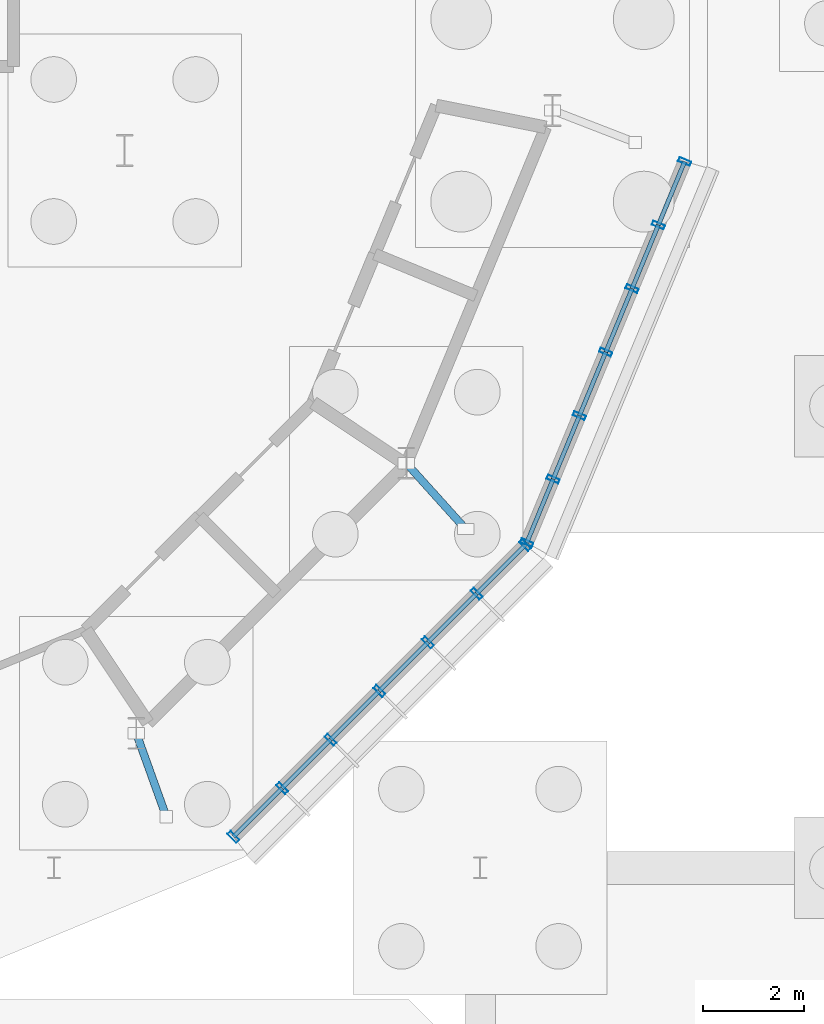
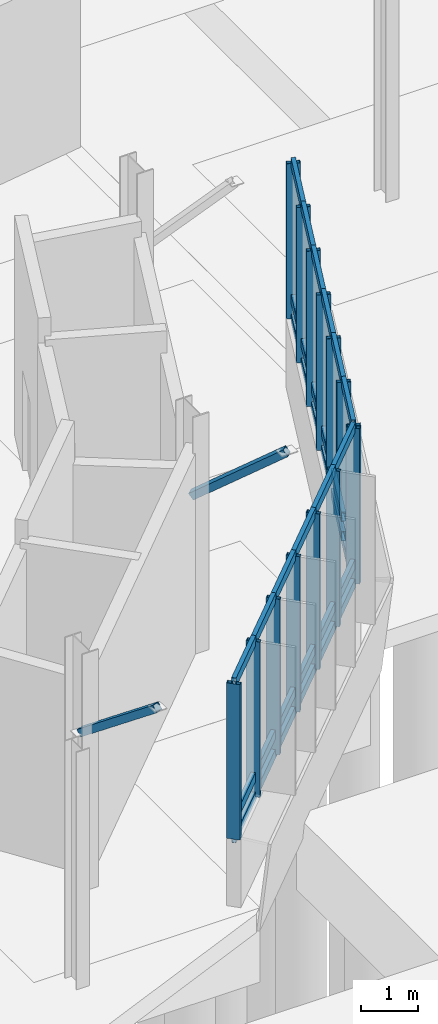
# One storey, part 37 of 119: 52 members, 2 elements without a shape of their own.
"""IFC4 building model written with IfcOpenShell, lengths in metres."""

from ifc_helpers import new_model, si_unit, derived_unit, direction, frame, origin, origin_2d, place, context, subcontext, project, spatial, hollow_rectangle, extrude, material, layer, layer_set, material_profile, profile_set, type_object, element, aggregate, save


model = new_model("IFC4")

# Units and contexts
model_context = context("Model", 3, precision=1e-05, world=origin(), true_north=direction((0.0, 1.0)))
body_context = subcontext(model_context, "Body", "Model", "MODEL_VIEW")
ifc_project = project(units=[si_unit("LENGTHUNIT", "METRE"), si_unit("AREAUNIT", "SQUARE_METRE"), si_unit("VOLUMEUNIT", "CUBIC_METRE"), si_unit("PLANEANGLEUNIT", "RADIAN"), si_unit("MASSUNIT", "GRAM", prefix="KILO"), derived_unit("THERMALTRANSMITTANCEUNIT", [(si_unit("MASSUNIT", "GRAM", prefix="KILO"), 1), (si_unit("TIMEUNIT", "SECOND"), -3), (si_unit("THERMODYNAMICTEMPERATUREUNIT", "KELVIN"), -1)])], contexts=[model_context])

# Site, building, storey
site_placement = place(None, origin())
site = spatial("IfcSite", under=ifc_project, at=site_placement, CompositionType="ELEMENT")
building_placement = place(site_placement, origin())
building = spatial("IfcBuilding", under=site, at=building_placement, Name="Makaiwela Harbour Ferry Terminal", CompositionType="ELEMENT")
storey_placement = place(building_placement, origin())
storey = spatial("IfcBuildingStorey", under=building, at=storey_placement, Name="L00", CompositionType="ELEMENT", Elevation=0.0)

# Curtain wall, members
ifc_material_1 = material(Name="Marine anodised aluminium 6063-T6", Category="aluminium")
ifc_layer = layer(ifc_material_1, 0.199951171875)
ifc_layer_set = layer_set([ifc_layer], Name="Marine anodised aluminium 6063-T6")
curtain_wall_type = type_object("IfcCurtainWallType", Name="ENV-CW-01", PredefinedType="USERDEFINED", material=ifc_layer_set)
curtain_wall_1_placement = place(storey_placement, origin())
curtain_wall_1 = element("IfcCurtainWall", 1, at=curtain_wall_1_placement, inside=storey, type_object=curtain_wall_type, Name="Unitised Curtain Wall CWA-009", ObjectType="UNITIZED CURTAIN WALL", PredefinedType="USERDEFINED")
ifc_material_profile_1 = material_profile(ifc_material_1, hollow_rectangle(XDim=0.0849609375, YDim=0.25, WallThickness=0.0048828125, at=origin_2d()), Name="CWM-250X85")
ifc_profile_set_1 = profile_set([ifc_material_profile_1], Name="Marine anodised aluminium 6063-T6")
member_type_1 = type_object("IfcMemberType", Name="CW-MUL-250", PredefinedType="MULLION", material=ifc_profile_set_1)
member_1_placement = place(storey_placement, frame((49.73828125, 50.01025390625, 1.47998046875), z_axis=(0.0, 0.0, 1.0), x_axis=(0.707106781187, 0.707106781187, 0.0)))
member_1 = element("IfcMember", 2, at=member_1_placement, type_object=member_type_1, Name="Curtain Wall Mullion CWA-009-1", PredefinedType="MULLION", context=body_context, shape_type="SweptSolid", body=[
    extrude(hollow_rectangle(XDim=0.0849609375, YDim=0.25, WallThickness=0.0048828125, at=origin_2d()), origin(), (0.0, 0.0, 1.0), 3.340087890625),
])
member_2_placement = place(storey_placement, frame((50.69677734375, 50.968994140625, 1.47998046875), z_axis=(0.0, 0.0, 1.0), x_axis=(0.707106781187, 0.707106781187, 0.0)))
member_2 = element("IfcMember", 3, at=member_2_placement, type_object=member_type_1, Name="Curtain Wall Mullion CWA-009-2", PredefinedType="MULLION", context=body_context, shape_type="SweptSolid", body=[
    extrude(hollow_rectangle(XDim=0.0849609375, YDim=0.25, WallThickness=0.0048828125, at=origin_2d()), origin(), (0.0, 0.0, 1.0), 3.340087890625),
])
member_3_placement = place(storey_placement, frame((51.655517578125, 51.927490234375, 1.47998046875), z_axis=(0.0, 0.0, 1.0), x_axis=(0.707106781187, 0.707106781187, 0.0)))
member_3 = element("IfcMember", 4, at=member_3_placement, type_object=member_type_1, Name="Curtain Wall Mullion CWA-009-3", PredefinedType="MULLION", context=body_context, shape_type="SweptSolid", body=[
    extrude(hollow_rectangle(XDim=0.0849609375, YDim=0.25, WallThickness=0.0048828125, at=origin_2d()), origin(), (0.0, 0.0, 1.0), 3.340087890625),
])
member_4_placement = place(storey_placement, frame((52.614013671875, 52.885986328125, 1.47998046875), z_axis=(0.0, 0.0, 1.0), x_axis=(0.707106781187, 0.707106781187, 0.0)))
member_4 = element("IfcMember", 5, at=member_4_placement, type_object=member_type_1, Name="Curtain Wall Mullion CWA-009-4", PredefinedType="MULLION", context=body_context, shape_type="SweptSolid", body=[
    extrude(hollow_rectangle(XDim=0.0849609375, YDim=0.25, WallThickness=0.0048828125, at=origin_2d()), origin(), (0.0, 0.0, 1.0), 3.340087890625),
])
member_5_placement = place(storey_placement, frame((53.572509765625, 53.844482421875, 1.47998046875), z_axis=(0.0, 0.0, 1.0), x_axis=(0.707106781187, 0.707106781187, 0.0)))
member_5 = element("IfcMember", 6, at=member_5_placement, type_object=member_type_1, Name="Curtain Wall Mullion CWA-009-5", PredefinedType="MULLION", context=body_context, shape_type="SweptSolid", body=[
    extrude(hollow_rectangle(XDim=0.0849609375, YDim=0.25, WallThickness=0.0048828125, at=origin_2d()), origin(), (0.0, 0.0, 1.0), 3.340087890625),
])
member_6_placement = place(storey_placement, frame((54.531005859375, 54.80322265625, 1.47998046875), z_axis=(0.0, 0.0, 1.0), x_axis=(0.707106781187, 0.707106781187, 0.0)))
member_6 = element("IfcMember", 7, at=member_6_placement, type_object=member_type_1, Name="Curtain Wall Mullion CWA-009-6", PredefinedType="MULLION", context=body_context, shape_type="SweptSolid", body=[
    extrude(hollow_rectangle(XDim=0.0849609375, YDim=0.25, WallThickness=0.0048828125, at=origin_2d()), origin(), (0.0, 0.0, 1.0), 3.340087890625),
])
member_7_placement = place(storey_placement, frame((55.48974609375, 55.76171875, 1.47998046875), z_axis=(0.0, 0.0, 1.0), x_axis=(0.707106781187, 0.707106781187, 0.0)))
member_7 = element("IfcMember", 8, at=member_7_placement, type_object=member_type_1, Name="Curtain Wall Mullion CWA-009-7", PredefinedType="MULLION", context=body_context, shape_type="SweptSolid", body=[
    extrude(hollow_rectangle(XDim=0.0849609375, YDim=0.25, WallThickness=0.0048828125, at=origin_2d()), origin(), (0.0, 0.0, 1.0), 3.340087890625),
])

curtain_wall_2_placement = place(storey_placement, origin())
curtain_wall_2 = element("IfcCurtainWall", 9, at=curtain_wall_2_placement, inside=storey, type_object=curtain_wall_type, Name="Unitised Curtain Wall CWA-010", ObjectType="UNITIZED CURTAIN WALL", PredefinedType="USERDEFINED")
member_8_placement = place(storey_placement, frame((55.5224609375, 55.810791015625, 1.47998046875), z_axis=(0.0, 0.0, 1.0), x_axis=(0.382683432365, 0.923879532511, 0.0)))
member_8 = element("IfcMember", 10, at=member_8_placement, type_object=member_type_1, Name="Curtain Wall Mullion CWA-010-1", PredefinedType="MULLION", context=body_context, shape_type="SweptSolid", body=[
    extrude(hollow_rectangle(XDim=0.0849609375, YDim=0.25, WallThickness=0.0048828125, at=origin_2d()), origin(), (0.0, 0.0, 1.0), 3.340087890625),
])
member_9_placement = place(storey_placement, frame((56.041259765625, 57.063232421875, 1.47998046875), z_axis=(0.0, 0.0, 1.0), x_axis=(0.382683432365, 0.923879532511, 0.0)))
member_9 = element("IfcMember", 11, at=member_9_placement, type_object=member_type_1, Name="Curtain Wall Mullion CWA-010-2", PredefinedType="MULLION", context=body_context, shape_type="SweptSolid", body=[
    extrude(hollow_rectangle(XDim=0.0849609375, YDim=0.25, WallThickness=0.0048828125, at=origin_2d()), origin(), (0.0, 0.0, 1.0), 3.340087890625),
])
member_10_placement = place(storey_placement, frame((56.559814453125, 58.315673828125, 1.47998046875), z_axis=(0.0, 0.0, 1.0), x_axis=(0.382683432365, 0.923879532511, 0.0)))
member_10 = element("IfcMember", 12, at=member_10_placement, type_object=member_type_1, Name="Curtain Wall Mullion CWA-010-3", PredefinedType="MULLION", context=body_context, shape_type="SweptSolid", body=[
    extrude(hollow_rectangle(XDim=0.0849609375, YDim=0.25, WallThickness=0.0048828125, at=origin_2d()), origin(), (0.0, 0.0, 1.0), 3.340087890625),
])
member_11_placement = place(storey_placement, frame((57.07861328125, 59.568115234375, 1.47998046875), z_axis=(0.0, 0.0, 1.0), x_axis=(0.382683432365, 0.923879532511, 0.0)))
member_11 = element("IfcMember", 13, at=member_11_placement, type_object=member_type_1, Name="Curtain Wall Mullion CWA-010-4", PredefinedType="MULLION", context=body_context, shape_type="SweptSolid", body=[
    extrude(hollow_rectangle(XDim=0.0849609375, YDim=0.25, WallThickness=0.0048828125, at=origin_2d()), origin(), (0.0, 0.0, 1.0), 3.340087890625),
])
member_12_placement = place(storey_placement, frame((57.597412109375, 60.820556640625, 1.47998046875), z_axis=(0.0, 0.0, 1.0), x_axis=(0.382683432365, 0.923879532511, 0.0)))
member_12 = element("IfcMember", 14, at=member_12_placement, type_object=member_type_1, Name="Curtain Wall Mullion CWA-010-5", PredefinedType="MULLION", context=body_context, shape_type="SweptSolid", body=[
    extrude(hollow_rectangle(XDim=0.0849609375, YDim=0.25, WallThickness=0.0048828125, at=origin_2d()), origin(), (0.0, 0.0, 1.0), 3.340087890625),
])
member_13_placement = place(storey_placement, frame((58.1162109375, 62.072998046875, 1.47998046875), z_axis=(0.0, 0.0, 1.0), x_axis=(0.382683432365, 0.923879532511, 0.0)))
member_13 = element("IfcMember", 15, at=member_13_placement, type_object=member_type_1, Name="Curtain Wall Mullion CWA-010-6", PredefinedType="MULLION", context=body_context, shape_type="SweptSolid", body=[
    extrude(hollow_rectangle(XDim=0.0849609375, YDim=0.25, WallThickness=0.0048828125, at=origin_2d()), origin(), (0.0, 0.0, 1.0), 3.340087890625),
])
member_14_placement = place(storey_placement, frame((58.635009765625, 63.325439453125, 1.47998046875), z_axis=(0.0, 0.0, 1.0), x_axis=(0.382683432365, 0.923879532511, 0.0)))
member_14 = element("IfcMember", 16, at=member_14_placement, type_object=member_type_1, Name="Curtain Wall Mullion CWA-010-7", PredefinedType="MULLION", context=body_context, shape_type="SweptSolid", body=[
    extrude(hollow_rectangle(XDim=0.0849609375, YDim=0.25, WallThickness=0.0048828125, at=origin_2d()), origin(), (0.0, 0.0, 1.0), 3.340087890625),
])

# Member
ifc_material_profile_2 = material_profile(ifc_material_1, hollow_rectangle(XDim=0.0849609375, YDim=0.199951171875, WallThickness=0.0048828125, at=origin_2d()), Name="CWT-200X85")
ifc_profile_set_2 = profile_set([ifc_material_profile_2], Name="Marine anodised aluminium 6063-T6")
member_type_2 = type_object("IfcMemberType", Name="CW-TRN-200", PredefinedType="USERDEFINED", material=ifc_profile_set_2)
member_15_placement = place(storey_placement, frame((49.73828125, 50.01025390625, 1.47998046875), z_axis=(0.707016732569, 0.707196818338, 0.0), x_axis=(-0.707196818338, 0.707016732569, 0.0)))
member_15 = element("IfcMember", 17, at=member_15_placement, type_object=member_type_2, Name="Curtain Wall Transom CWA-009-1-1", ObjectType="TRANSOM", PredefinedType="USERDEFINED", context=body_context, shape_type="SweptSolid", body=[
    extrude(hollow_rectangle(XDim=0.0849609375, YDim=0.199951171875, WallThickness=0.0048828125, at=origin_2d()), origin(), (0.0, 0.0, 1.0), 1.355712890625),
])

member_16_placement = place(storey_placement, frame((49.73828125, 50.01025390625, 1.89990234375), z_axis=(0.707016732569, 0.707196818338, 0.0), x_axis=(-0.707196818338, 0.707016732569, 0.0)))
member_16 = element("IfcMember", 18, at=member_16_placement, type_object=member_type_2, Name="Curtain Wall Transom CWA-009-1-2", ObjectType="TRANSOM", PredefinedType="USERDEFINED", context=body_context, shape_type="SweptSolid", body=[
    extrude(hollow_rectangle(XDim=0.0849609375, YDim=0.199951171875, WallThickness=0.0048828125, at=origin_2d()), origin(), (0.0, 0.0, 1.0), 1.355712890625),
])

member_17_placement = place(storey_placement, frame((49.73828125, 50.01025390625, 4.820068359375), z_axis=(0.707016732569, 0.707196818338, 0.0), x_axis=(-0.707196818338, 0.707016732569, 0.0)))
member_17 = element("IfcMember", 19, at=member_17_placement, type_object=member_type_2, Name="Curtain Wall Transom CWA-009-1-3", ObjectType="TRANSOM", PredefinedType="USERDEFINED", context=body_context, shape_type="SweptSolid", body=[
    extrude(hollow_rectangle(XDim=0.0849609375, YDim=0.199951171875, WallThickness=0.0048828125, at=origin_2d()), origin(), (0.0, 0.0, 1.0), 1.355712890625),
])

member_18_placement = place(storey_placement, frame((50.69677734375, 50.968994140625, 1.47998046875), z_axis=(0.707196818338, 0.707016732569, 0.0), x_axis=(-0.707016732569, 0.707196818338, 0.0)))
member_18 = element("IfcMember", 20, at=member_18_placement, type_object=member_type_2, Name="Curtain Wall Transom CWA-009-2-1", ObjectType="TRANSOM", PredefinedType="USERDEFINED", context=body_context, shape_type="SweptSolid", body=[
    extrude(hollow_rectangle(XDim=0.0849609375, YDim=0.199951171875, WallThickness=0.0048828125, at=origin_2d()), origin(), (0.0, 0.0, 1.0), 1.355712890625),
])

member_19_placement = place(storey_placement, frame((50.69677734375, 50.968994140625, 1.89990234375), z_axis=(0.707196818338, 0.707016732569, 0.0), x_axis=(-0.707016732569, 0.707196818338, 0.0)))
member_19 = element("IfcMember", 21, at=member_19_placement, type_object=member_type_2, Name="Curtain Wall Transom CWA-009-2-2", ObjectType="TRANSOM", PredefinedType="USERDEFINED", context=body_context, shape_type="SweptSolid", body=[
    extrude(hollow_rectangle(XDim=0.0849609375, YDim=0.199951171875, WallThickness=0.0048828125, at=origin_2d()), origin(), (0.0, 0.0, 1.0), 1.355712890625),
])

member_20_placement = place(storey_placement, frame((50.69677734375, 50.968994140625, 4.820068359375), z_axis=(0.707196818338, 0.707016732569, 0.0), x_axis=(-0.707016732569, 0.707196818338, 0.0)))
member_20 = element("IfcMember", 22, at=member_20_placement, type_object=member_type_2, Name="Curtain Wall Transom CWA-009-2-3", ObjectType="TRANSOM", PredefinedType="USERDEFINED", context=body_context, shape_type="SweptSolid", body=[
    extrude(hollow_rectangle(XDim=0.0849609375, YDim=0.199951171875, WallThickness=0.0048828125, at=origin_2d()), origin(), (0.0, 0.0, 1.0), 1.355712890625),
])

member_21_placement = place(storey_placement, frame((51.655517578125, 51.927490234375, 1.47998046875), z_axis=(0.707106781187, 0.707106781187, 0.0), x_axis=(-0.707106781187, 0.707106781187, 0.0)))
member_21 = element("IfcMember", 23, at=member_21_placement, type_object=member_type_2, Name="Curtain Wall Transom CWA-009-3-1", ObjectType="TRANSOM", PredefinedType="USERDEFINED", context=body_context, shape_type="SweptSolid", body=[
    extrude(hollow_rectangle(XDim=0.0849609375, YDim=0.199951171875, WallThickness=0.0048828125, at=origin_2d()), origin(), (0.0, 0.0, 1.0), 1.35546875),
])

member_22_placement = place(storey_placement, frame((51.655517578125, 51.927490234375, 1.89990234375), z_axis=(0.707106781187, 0.707106781187, 0.0), x_axis=(-0.707106781187, 0.707106781187, 0.0)))
member_22 = element("IfcMember", 24, at=member_22_placement, type_object=member_type_2, Name="Curtain Wall Transom CWA-009-3-2", ObjectType="TRANSOM", PredefinedType="USERDEFINED", context=body_context, shape_type="SweptSolid", body=[
    extrude(hollow_rectangle(XDim=0.0849609375, YDim=0.199951171875, WallThickness=0.0048828125, at=origin_2d()), origin(), (0.0, 0.0, 1.0), 1.35546875),
])

member_23_placement = place(storey_placement, frame((51.655517578125, 51.927490234375, 4.820068359375), z_axis=(0.707106781187, 0.707106781187, 0.0), x_axis=(-0.707106781187, 0.707106781187, 0.0)))
member_23 = element("IfcMember", 25, at=member_23_placement, type_object=member_type_2, Name="Curtain Wall Transom CWA-009-3-3", ObjectType="TRANSOM", PredefinedType="USERDEFINED", context=body_context, shape_type="SweptSolid", body=[
    extrude(hollow_rectangle(XDim=0.0849609375, YDim=0.199951171875, WallThickness=0.0048828125, at=origin_2d()), origin(), (0.0, 0.0, 1.0), 1.35546875),
])

member_24_placement = place(storey_placement, frame((52.614013671875, 52.885986328125, 1.47998046875), z_axis=(0.707106781187, 0.707106781187, 0.0), x_axis=(-0.707106781187, 0.707106781187, 0.0)))
member_24 = element("IfcMember", 26, at=member_24_placement, type_object=member_type_2, Name="Curtain Wall Transom CWA-009-4-1", ObjectType="TRANSOM", PredefinedType="USERDEFINED", context=body_context, shape_type="SweptSolid", body=[
    extrude(hollow_rectangle(XDim=0.0849609375, YDim=0.199951171875, WallThickness=0.0048828125, at=origin_2d()), origin(), (0.0, 0.0, 1.0), 1.35546875),
])

member_25_placement = place(storey_placement, frame((52.614013671875, 52.885986328125, 1.89990234375), z_axis=(0.707106781187, 0.707106781187, 0.0), x_axis=(-0.707106781187, 0.707106781187, 0.0)))
member_25 = element("IfcMember", 27, at=member_25_placement, type_object=member_type_2, Name="Curtain Wall Transom CWA-009-4-2", ObjectType="TRANSOM", PredefinedType="USERDEFINED", context=body_context, shape_type="SweptSolid", body=[
    extrude(hollow_rectangle(XDim=0.0849609375, YDim=0.199951171875, WallThickness=0.0048828125, at=origin_2d()), origin(), (0.0, 0.0, 1.0), 1.35546875),
])

member_26_placement = place(storey_placement, frame((52.614013671875, 52.885986328125, 4.820068359375), z_axis=(0.707106781187, 0.707106781187, 0.0), x_axis=(-0.707106781187, 0.707106781187, 0.0)))
member_26 = element("IfcMember", 28, at=member_26_placement, type_object=member_type_2, Name="Curtain Wall Transom CWA-009-4-3", ObjectType="TRANSOM", PredefinedType="USERDEFINED", context=body_context, shape_type="SweptSolid", body=[
    extrude(hollow_rectangle(XDim=0.0849609375, YDim=0.199951171875, WallThickness=0.0048828125, at=origin_2d()), origin(), (0.0, 0.0, 1.0), 1.35546875),
])

member_27_placement = place(storey_placement, frame((53.572509765625, 53.844482421875, 1.47998046875), z_axis=(0.707016732569, 0.707196818338, 0.0), x_axis=(-0.707196818338, 0.707016732569, 0.0)))
member_27 = element("IfcMember", 29, at=member_27_placement, type_object=member_type_2, Name="Curtain Wall Transom CWA-009-5-1", ObjectType="TRANSOM", PredefinedType="USERDEFINED", context=body_context, shape_type="SweptSolid", body=[
    extrude(hollow_rectangle(XDim=0.0849609375, YDim=0.199951171875, WallThickness=0.0048828125, at=origin_2d()), origin(), (0.0, 0.0, 1.0), 1.355712890625),
])

member_28_placement = place(storey_placement, frame((53.572509765625, 53.844482421875, 1.89990234375), z_axis=(0.707016732569, 0.707196818338, 0.0), x_axis=(-0.707196818338, 0.707016732569, 0.0)))
member_28 = element("IfcMember", 30, at=member_28_placement, type_object=member_type_2, Name="Curtain Wall Transom CWA-009-5-2", ObjectType="TRANSOM", PredefinedType="USERDEFINED", context=body_context, shape_type="SweptSolid", body=[
    extrude(hollow_rectangle(XDim=0.0849609375, YDim=0.199951171875, WallThickness=0.0048828125, at=origin_2d()), origin(), (0.0, 0.0, 1.0), 1.355712890625),
])

member_29_placement = place(storey_placement, frame((53.572509765625, 53.844482421875, 4.820068359375), z_axis=(0.707016732569, 0.707196818338, 0.0), x_axis=(-0.707196818338, 0.707016732569, 0.0)))
member_29 = element("IfcMember", 31, at=member_29_placement, type_object=member_type_2, Name="Curtain Wall Transom CWA-009-5-3", ObjectType="TRANSOM", PredefinedType="USERDEFINED", context=body_context, shape_type="SweptSolid", body=[
    extrude(hollow_rectangle(XDim=0.0849609375, YDim=0.199951171875, WallThickness=0.0048828125, at=origin_2d()), origin(), (0.0, 0.0, 1.0), 1.355712890625),
])

member_30_placement = place(storey_placement, frame((54.531005859375, 54.80322265625, 1.47998046875), z_axis=(0.707196818338, 0.707016732569, 0.0), x_axis=(-0.707016732569, 0.707196818338, 0.0)))
member_30 = element("IfcMember", 32, at=member_30_placement, type_object=member_type_2, Name="Curtain Wall Transom CWA-009-6-1", ObjectType="TRANSOM", PredefinedType="USERDEFINED", context=body_context, shape_type="SweptSolid", body=[
    extrude(hollow_rectangle(XDim=0.0849609375, YDim=0.199951171875, WallThickness=0.0048828125, at=origin_2d()), origin(), (0.0, 0.0, 1.0), 1.355712890625),
])

member_31_placement = place(storey_placement, frame((54.531005859375, 54.80322265625, 1.89990234375), z_axis=(0.707196818338, 0.707016732569, 0.0), x_axis=(-0.707016732569, 0.707196818338, 0.0)))
member_31 = element("IfcMember", 33, at=member_31_placement, type_object=member_type_2, Name="Curtain Wall Transom CWA-009-6-2", ObjectType="TRANSOM", PredefinedType="USERDEFINED", context=body_context, shape_type="SweptSolid", body=[
    extrude(hollow_rectangle(XDim=0.0849609375, YDim=0.199951171875, WallThickness=0.0048828125, at=origin_2d()), origin(), (0.0, 0.0, 1.0), 1.355712890625),
])

member_32_placement = place(storey_placement, frame((54.531005859375, 54.80322265625, 4.820068359375), z_axis=(0.707196818338, 0.707016732569, 0.0), x_axis=(-0.707016732569, 0.707196818338, 0.0)))
member_32 = element("IfcMember", 34, at=member_32_placement, type_object=member_type_2, Name="Curtain Wall Transom CWA-009-6-3", ObjectType="TRANSOM", PredefinedType="USERDEFINED", context=body_context, shape_type="SweptSolid", body=[
    extrude(hollow_rectangle(XDim=0.0849609375, YDim=0.199951171875, WallThickness=0.0048828125, at=origin_2d()), origin(), (0.0, 0.0, 1.0), 1.355712890625),
])

aggregate(curtain_wall_1, [member_1, member_2, member_3, member_4, member_5, member_6, member_7, member_15, member_16, member_17, member_18, member_19, member_20, member_21, member_22, member_23, member_24, member_25, member_26, member_27, member_28, member_29, member_30, member_31, member_32])

member_33_placement = place(storey_placement, frame((55.5224609375, 55.810791015625, 1.47998046875), z_axis=(0.382696410016, 0.923874156886, 0.0), x_axis=(-0.923874156886, 0.382696410016, 0.0)))
member_33 = element("IfcMember", 35, at=member_33_placement, type_object=member_type_2, Name="Curtain Wall Transom CWA-010-1-1", ObjectType="TRANSOM", PredefinedType="USERDEFINED", context=body_context, shape_type="SweptSolid", body=[
    extrude(hollow_rectangle(XDim=0.0849609375, YDim=0.199951171875, WallThickness=0.0048828125, at=origin_2d()), origin(), (0.0, 0.0, 1.0), 1.355712890625),
])

member_34_placement = place(storey_placement, frame((55.5224609375, 55.810791015625, 1.89990234375), z_axis=(0.382696410016, 0.923874156886, 0.0), x_axis=(-0.923874156886, 0.382696410016, 0.0)))
member_34 = element("IfcMember", 36, at=member_34_placement, type_object=member_type_2, Name="Curtain Wall Transom CWA-010-1-2", ObjectType="TRANSOM", PredefinedType="USERDEFINED", context=body_context, shape_type="SweptSolid", body=[
    extrude(hollow_rectangle(XDim=0.0849609375, YDim=0.199951171875, WallThickness=0.0048828125, at=origin_2d()), origin(), (0.0, 0.0, 1.0), 1.355712890625),
])

member_35_placement = place(storey_placement, frame((55.5224609375, 55.810791015625, 4.820068359375), z_axis=(0.382696410016, 0.923874156886, 0.0), x_axis=(-0.923874156886, 0.382696410016, 0.0)))
member_35 = element("IfcMember", 37, at=member_35_placement, type_object=member_type_2, Name="Curtain Wall Transom CWA-010-1-3", ObjectType="TRANSOM", PredefinedType="USERDEFINED", context=body_context, shape_type="SweptSolid", body=[
    extrude(hollow_rectangle(XDim=0.0849609375, YDim=0.199951171875, WallThickness=0.0048828125, at=origin_2d()), origin(), (0.0, 0.0, 1.0), 1.355712890625),
])

member_36_placement = place(storey_placement, frame((56.041259765625, 57.063232421875, 1.47998046875), z_axis=(0.382542677411, 0.923937822561, 0.0), x_axis=(-0.923937822561, 0.382542677411, 0.0)))
member_36 = element("IfcMember", 38, at=member_36_placement, type_object=member_type_2, Name="Curtain Wall Transom CWA-010-2-1", ObjectType="TRANSOM", PredefinedType="USERDEFINED", context=body_context, shape_type="SweptSolid", body=[
    extrude(hollow_rectangle(XDim=0.0849609375, YDim=0.199951171875, WallThickness=0.0048828125, at=origin_2d()), origin(), (0.0, 0.0, 1.0), 1.35546875),
])

member_37_placement = place(storey_placement, frame((56.041259765625, 57.063232421875, 1.89990234375), z_axis=(0.382542677411, 0.923937822561, 0.0), x_axis=(-0.923937822561, 0.382542677411, 0.0)))
member_37 = element("IfcMember", 39, at=member_37_placement, type_object=member_type_2, Name="Curtain Wall Transom CWA-010-2-2", ObjectType="TRANSOM", PredefinedType="USERDEFINED", context=body_context, shape_type="SweptSolid", body=[
    extrude(hollow_rectangle(XDim=0.0849609375, YDim=0.199951171875, WallThickness=0.0048828125, at=origin_2d()), origin(), (0.0, 0.0, 1.0), 1.35546875),
])

member_38_placement = place(storey_placement, frame((56.041259765625, 57.063232421875, 4.820068359375), z_axis=(0.382542677411, 0.923937822561, 0.0), x_axis=(-0.923937822561, 0.382542677411, 0.0)))
member_38 = element("IfcMember", 40, at=member_38_placement, type_object=member_type_2, Name="Curtain Wall Transom CWA-010-2-3", ObjectType="TRANSOM", PredefinedType="USERDEFINED", context=body_context, shape_type="SweptSolid", body=[
    extrude(hollow_rectangle(XDim=0.0849609375, YDim=0.199951171875, WallThickness=0.0048828125, at=origin_2d()), origin(), (0.0, 0.0, 1.0), 1.35546875),
])

member_39_placement = place(storey_placement, frame((56.559814453125, 58.315673828125, 1.47998046875), z_axis=(0.382696410016, 0.923874156886, 0.0), x_axis=(-0.923874156886, 0.382696410016, 0.0)))
member_39 = element("IfcMember", 41, at=member_39_placement, type_object=member_type_2, Name="Curtain Wall Transom CWA-010-3-1", ObjectType="TRANSOM", PredefinedType="USERDEFINED", context=body_context, shape_type="SweptSolid", body=[
    extrude(hollow_rectangle(XDim=0.0849609375, YDim=0.199951171875, WallThickness=0.0048828125, at=origin_2d()), origin(), (0.0, 0.0, 1.0), 1.355712890625),
])

member_40_placement = place(storey_placement, frame((56.559814453125, 58.315673828125, 1.89990234375), z_axis=(0.382696410016, 0.923874156886, 0.0), x_axis=(-0.923874156886, 0.382696410016, 0.0)))
member_40 = element("IfcMember", 42, at=member_40_placement, type_object=member_type_2, Name="Curtain Wall Transom CWA-010-3-2", ObjectType="TRANSOM", PredefinedType="USERDEFINED", context=body_context, shape_type="SweptSolid", body=[
    extrude(hollow_rectangle(XDim=0.0849609375, YDim=0.199951171875, WallThickness=0.0048828125, at=origin_2d()), origin(), (0.0, 0.0, 1.0), 1.355712890625),
])

member_41_placement = place(storey_placement, frame((56.559814453125, 58.315673828125, 4.820068359375), z_axis=(0.382696410016, 0.923874156886, 0.0), x_axis=(-0.923874156886, 0.382696410016, 0.0)))
member_41 = element("IfcMember", 43, at=member_41_placement, type_object=member_type_2, Name="Curtain Wall Transom CWA-010-3-3", ObjectType="TRANSOM", PredefinedType="USERDEFINED", context=body_context, shape_type="SweptSolid", body=[
    extrude(hollow_rectangle(XDim=0.0849609375, YDim=0.199951171875, WallThickness=0.0048828125, at=origin_2d()), origin(), (0.0, 0.0, 1.0), 1.355712890625),
])

member_42_placement = place(storey_placement, frame((57.07861328125, 59.568115234375, 1.47998046875), z_axis=(0.382696410016, 0.923874156886, 0.0), x_axis=(-0.923874156886, 0.382696410016, 0.0)))
member_42 = element("IfcMember", 44, at=member_42_placement, type_object=member_type_2, Name="Curtain Wall Transom CWA-010-4-1", ObjectType="TRANSOM", PredefinedType="USERDEFINED", context=body_context, shape_type="SweptSolid", body=[
    extrude(hollow_rectangle(XDim=0.0849609375, YDim=0.199951171875, WallThickness=0.0048828125, at=origin_2d()), origin(), (0.0, 0.0, 1.0), 1.355712890625),
])

member_43_placement = place(storey_placement, frame((57.07861328125, 59.568115234375, 1.89990234375), z_axis=(0.382696410016, 0.923874156886, 0.0), x_axis=(-0.923874156886, 0.382696410016, 0.0)))
member_43 = element("IfcMember", 45, at=member_43_placement, type_object=member_type_2, Name="Curtain Wall Transom CWA-010-4-2", ObjectType="TRANSOM", PredefinedType="USERDEFINED", context=body_context, shape_type="SweptSolid", body=[
    extrude(hollow_rectangle(XDim=0.0849609375, YDim=0.199951171875, WallThickness=0.0048828125, at=origin_2d()), origin(), (0.0, 0.0, 1.0), 1.355712890625),
])

member_44_placement = place(storey_placement, frame((57.07861328125, 59.568115234375, 4.820068359375), z_axis=(0.382696410016, 0.923874156886, 0.0), x_axis=(-0.923874156886, 0.382696410016, 0.0)))
member_44 = element("IfcMember", 46, at=member_44_placement, type_object=member_type_2, Name="Curtain Wall Transom CWA-010-4-3", ObjectType="TRANSOM", PredefinedType="USERDEFINED", context=body_context, shape_type="SweptSolid", body=[
    extrude(hollow_rectangle(XDim=0.0849609375, YDim=0.199951171875, WallThickness=0.0048828125, at=origin_2d()), origin(), (0.0, 0.0, 1.0), 1.355712890625),
])

member_45_placement = place(storey_placement, frame((57.597412109375, 60.820556640625, 1.47998046875), z_axis=(0.382696410016, 0.923874156886, 0.0), x_axis=(-0.923874156886, 0.382696410016, 0.0)))
member_45 = element("IfcMember", 47, at=member_45_placement, type_object=member_type_2, Name="Curtain Wall Transom CWA-010-5-1", ObjectType="TRANSOM", PredefinedType="USERDEFINED", context=body_context, shape_type="SweptSolid", body=[
    extrude(hollow_rectangle(XDim=0.0849609375, YDim=0.199951171875, WallThickness=0.0048828125, at=origin_2d()), origin(), (0.0, 0.0, 1.0), 1.355712890625),
])

member_46_placement = place(storey_placement, frame((57.597412109375, 60.820556640625, 1.89990234375), z_axis=(0.382696410016, 0.923874156886, 0.0), x_axis=(-0.923874156886, 0.382696410016, 0.0)))
member_46 = element("IfcMember", 48, at=member_46_placement, type_object=member_type_2, Name="Curtain Wall Transom CWA-010-5-2", ObjectType="TRANSOM", PredefinedType="USERDEFINED", context=body_context, shape_type="SweptSolid", body=[
    extrude(hollow_rectangle(XDim=0.0849609375, YDim=0.199951171875, WallThickness=0.0048828125, at=origin_2d()), origin(), (0.0, 0.0, 1.0), 1.355712890625),
])

member_47_placement = place(storey_placement, frame((57.597412109375, 60.820556640625, 4.820068359375), z_axis=(0.382696410016, 0.923874156886, 0.0), x_axis=(-0.923874156886, 0.382696410016, 0.0)))
member_47 = element("IfcMember", 49, at=member_47_placement, type_object=member_type_2, Name="Curtain Wall Transom CWA-010-5-3", ObjectType="TRANSOM", PredefinedType="USERDEFINED", context=body_context, shape_type="SweptSolid", body=[
    extrude(hollow_rectangle(XDim=0.0849609375, YDim=0.199951171875, WallThickness=0.0048828125, at=origin_2d()), origin(), (0.0, 0.0, 1.0), 1.355712890625),
])

member_48_placement = place(storey_placement, frame((58.1162109375, 62.072998046875, 1.47998046875), z_axis=(0.382696410016, 0.923874156886, 0.0), x_axis=(-0.923874156886, 0.382696410016, 0.0)))
member_48 = element("IfcMember", 50, at=member_48_placement, type_object=member_type_2, Name="Curtain Wall Transom CWA-010-6-1", ObjectType="TRANSOM", PredefinedType="USERDEFINED", context=body_context, shape_type="SweptSolid", body=[
    extrude(hollow_rectangle(XDim=0.0849609375, YDim=0.199951171875, WallThickness=0.0048828125, at=origin_2d()), origin(), (0.0, 0.0, 1.0), 1.355712890625),
])

member_49_placement = place(storey_placement, frame((58.1162109375, 62.072998046875, 1.89990234375), z_axis=(0.382696410016, 0.923874156886, 0.0), x_axis=(-0.923874156886, 0.382696410016, 0.0)))
member_49 = element("IfcMember", 51, at=member_49_placement, type_object=member_type_2, Name="Curtain Wall Transom CWA-010-6-2", ObjectType="TRANSOM", PredefinedType="USERDEFINED", context=body_context, shape_type="SweptSolid", body=[
    extrude(hollow_rectangle(XDim=0.0849609375, YDim=0.199951171875, WallThickness=0.0048828125, at=origin_2d()), origin(), (0.0, 0.0, 1.0), 1.355712890625),
])

member_50_placement = place(storey_placement, frame((58.1162109375, 62.072998046875, 4.820068359375), z_axis=(0.382696410016, 0.923874156886, 0.0), x_axis=(-0.923874156886, 0.382696410016, 0.0)))
member_50 = element("IfcMember", 52, at=member_50_placement, type_object=member_type_2, Name="Curtain Wall Transom CWA-010-6-3", ObjectType="TRANSOM", PredefinedType="USERDEFINED", context=body_context, shape_type="SweptSolid", body=[
    extrude(hollow_rectangle(XDim=0.0849609375, YDim=0.199951171875, WallThickness=0.0048828125, at=origin_2d()), origin(), (0.0, 0.0, 1.0), 1.355712890625),
])

aggregate(curtain_wall_2, [member_8, member_9, member_10, member_11, member_12, member_13, member_14, member_33, member_34, member_35, member_36, member_37, member_38, member_39, member_40, member_41, member_42, member_43, member_44, member_45, member_46, member_47, member_48, member_49, member_50])

# Members
ifc_material_2 = material(Name="Steel ASTM A500 Grade C", Category="steel")
ifc_material_profile_3 = material_profile(ifc_material_2, hollow_rectangle(XDim=0.152099609375, YDim=0.152099609375, WallThickness=0.0087890625, at=origin_2d()), Name="HSS6X6X3/8")
ifc_profile_set_3 = profile_set([ifc_material_profile_3], Name="Steel ASTM A500 Grade C")
member_type_3 = type_object("IfcMemberType", Name="STR-STT-HSS6", PredefinedType="STRUT", material=ifc_profile_set_3)
member_51_placement = place(storey_placement, frame((47.822509765625, 52.052490234375, 3.199951171875), z_axis=(0.27058783204, -0.752935200953, 0.599892330604), x_axis=(0.94107402244, 0.338200656841, 0.0)))
element("IfcMember", 53, at=member_51_placement, inside=storey, type_object=member_type_3, Name="Structural Member SR-01", PredefinedType="STRUT", context=body_context, shape_type="SweptSolid", body=[
    extrude(hollow_rectangle(XDim=0.152099609375, YDim=0.152099609375, WallThickness=0.0087890625, at=origin_2d()), origin(), (0.0, 0.0, 1.0), 2.18701171875),
])
member_52_placement = place(storey_placement, frame((53.1474609375, 57.37744140625, 3.199951171875), z_axis=(0.535460304741, -0.594509398176, 0.599867349943), x_axis=(0.743044359106, 0.669242168726, 0.0)))
element("IfcMember", 54, at=member_52_placement, inside=storey, type_object=member_type_3, Name="Structural Member SR-01", PredefinedType="STRUT", context=body_context, shape_type="SweptSolid", body=[
    extrude(hollow_rectangle(XDim=0.152099609375, YDim=0.152099609375, WallThickness=0.0087890625, at=origin_2d()), origin(), (0.0, 0.0, 1.0), 2.187255859375),
])

save(model, "model.ifc")
